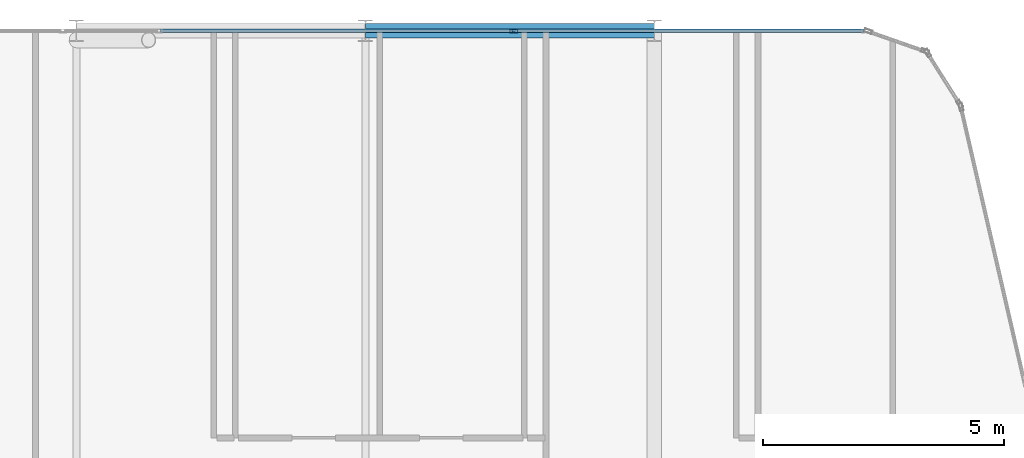
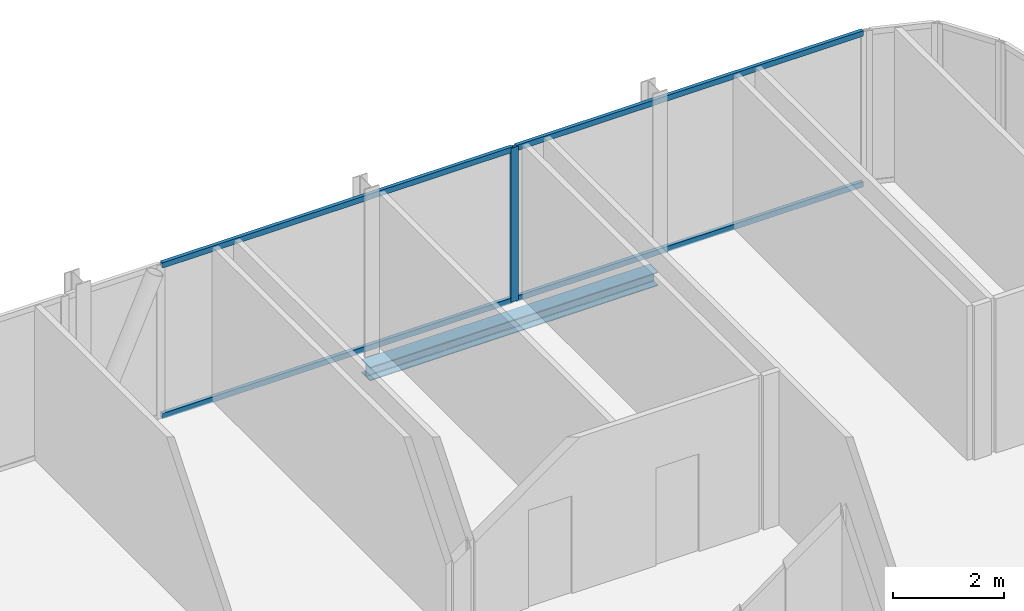
# One storey, part 19 of 29: 5 members, 1 beam, 1 element without a shape of its own.
"""IFC4 building model written with IfcOpenShell, lengths in metres."""

from ifc_helpers import new_model, si_unit, direction, frame, origin, origin_2d, place, context, subcontext, project, spatial, hollow_rectangle, i_section, extrude, material, layer, layer_set, material_profile, profile_set, type_object, element, aggregate, save


model = new_model("IFC4")

# Units and contexts
model_context = context("Model", 3, precision=1e-05, world=origin(), true_north=direction((0.0, 1.0)))
body_context = subcontext(model_context, "Body", "Model", "MODEL_VIEW")
ifc_project = project(units=[si_unit("LENGTHUNIT", "METRE"), si_unit("AREAUNIT", "SQUARE_METRE"), si_unit("VOLUMEUNIT", "CUBIC_METRE"), si_unit("PLANEANGLEUNIT", "RADIAN"), si_unit("MASSUNIT", "GRAM", prefix="KILO")], contexts=[model_context])

# Site, building, storey
site_placement = place(None, origin())
site = spatial("IfcSite", under=ifc_project, at=site_placement, CompositionType="ELEMENT")
building_placement = place(site_placement, origin())
building = spatial("IfcBuilding", under=site, at=building_placement, Name="Keshet Zoharim Tower", CompositionType="ELEMENT")
storey_placement = place(building_placement, frame((0.0, 0.0, 199.5)))
storey = spatial("IfcBuildingStorey", under=building, at=storey_placement, Name="L49", CompositionType="ELEMENT", Elevation=199.5)

# Beam
ifc_material_1 = material(Name="Steel S355", Category="steel")
ifc_material_profile_1 = material_profile(ifc_material_1, i_section(OverallWidth=0.300048828125, OverallDepth=0.300048828125, WebThickness=0.010986328125, FlangeThickness=0.01904296875, FilletRadius=0.027099609375, at=origin_2d()), Name="HEB300")
ifc_profile_set_1 = profile_set([ifc_material_profile_1], Name="Steel S355")
beam_type = type_object("IfcBeamType", Name="BM-PRI-HB300", PredefinedType="BEAM", material=ifc_profile_set_1)
beam_placement = place(storey_placement, frame((27.0, 53.89990234375, -0.4599609375), z_axis=(1.0, 0.0, 0.0), x_axis=(0.0, 1.0, 0.0)))
element("IfcBeam", 1, at=beam_placement, inside=storey, type_object=beam_type, Name="L49 Primary Girder X-020", PredefinedType="BEAM", context=body_context, shape_type="SweptSolid", body=[
    extrude(i_section(OverallWidth=0.300048828125, OverallDepth=0.300048828125, WebThickness=0.010986328125, FlangeThickness=0.01904296875, FilletRadius=0.027099609375, at=origin_2d()), origin(), (0.0, 0.0, 1.0), 6.0),
])

# Curtain wall, members
ifc_material_2 = material(Name="Aluminium 6063-T6", Category="aluminium")
ifc_layer = layer(ifc_material_2, 0.139892578125)
ifc_layer_set = layer_set([ifc_layer], Name="Aluminium 6063-T6")
curtain_wall_type = type_object("IfcCurtainWallType", Name="CW-SYS-05", PredefinedType="NOTDEFINED", material=ifc_layer_set)
curtain_wall_placement = place(storey_placement, origin())
curtain_wall = element("IfcCurtainWall", 2, at=curtain_wall_placement, inside=storey, type_object=curtain_wall_type, Name="L49 Unitised Curtain Wall 16 Part 3", PredefinedType="NOTDEFINED")
ifc_material_profile_2 = material_profile(ifc_material_2, hollow_rectangle(XDim=0.074951171875, YDim=0.159912109375, WallThickness=0.00390625, at=origin_2d()), Name="MUL-75x160")
ifc_profile_set_2 = profile_set([ifc_material_profile_2], Name="Aluminium 6063-T6")
member_type_1 = type_object("IfcMemberType", Name="CWM-M15", PredefinedType="MULLION", material=ifc_profile_set_2)
member_1_placement = place(storey_placement, frame((30.07861328125, 53.89990234375, 0.0), z_axis=(0.0, 0.0, 1.0), x_axis=(0.0, 1.0, 0.0)))
member_1 = element("IfcMember", 3, at=member_1_placement, type_object=member_type_1, Name="CW-05 mullion 2", PredefinedType="MULLION", context=body_context, shape_type="SweptSolid", body=[
    extrude(hollow_rectangle(XDim=0.074951171875, YDim=0.159912109375, WallThickness=0.00390625, at=origin_2d()), origin(), (0.0, 0.0, 1.0), 3.389892578125),
])
ifc_material_profile_3 = material_profile(ifc_material_2, hollow_rectangle(XDim=0.074951171875, YDim=0.1201171875, WallThickness=0.00390625, at=origin_2d()), Name="TRN-75x120")
ifc_profile_set_3 = profile_set([ifc_material_profile_3], Name="Aluminium 6063-T6")
member_type_2 = type_object("IfcMemberType", Name="CWT-T12", PredefinedType="USERDEFINED", material=ifc_profile_set_3)
member_2_placement = place(storey_placement, frame((22.748046875, 53.89990234375, 0.034912109375), z_axis=(1.0, 0.0, 0.0), x_axis=(0.0, 1.0, 0.0)))
member_2 = element("IfcMember", 4, at=member_2_placement, type_object=member_type_2, Name="CW-05 transom 1.1", ObjectType="TRANSOM", PredefinedType="USERDEFINED", context=body_context, shape_type="SweptSolid", body=[
    extrude(hollow_rectangle(XDim=0.074951171875, YDim=0.1201171875, WallThickness=0.00390625, at=origin_2d()), origin(), (0.0, 0.0, 1.0), 7.29541015625),
])
member_3_placement = place(storey_placement, frame((22.748046875, 53.89990234375, 3.35498046875), z_axis=(1.0, 0.0, 0.0), x_axis=(0.0, 1.0, 0.0)))
member_3 = element("IfcMember", 5, at=member_3_placement, type_object=member_type_2, Name="CW-05 transom 1.2", ObjectType="TRANSOM", PredefinedType="USERDEFINED", context=body_context, shape_type="SweptSolid", body=[
    extrude(hollow_rectangle(XDim=0.074951171875, YDim=0.1201171875, WallThickness=0.00390625, at=origin_2d()), origin(), (0.0, 0.0, 1.0), 7.29541015625),
])
member_4_placement = place(storey_placement, frame((30.113525390625, 53.89990234375, 0.034912109375), z_axis=(1.0, 0.0, 0.0), x_axis=(0.0, 1.0, 0.0)))
member_4 = element("IfcMember", 6, at=member_4_placement, type_object=member_type_2, Name="CW-05 transom 2.1", ObjectType="TRANSOM", PredefinedType="USERDEFINED", context=body_context, shape_type="SweptSolid", body=[
    extrude(hollow_rectangle(XDim=0.074951171875, YDim=0.1201171875, WallThickness=0.00390625, at=origin_2d()), origin(), (0.0, 0.0, 1.0), 7.2255859375),
])
member_5_placement = place(storey_placement, frame((30.113525390625, 53.89990234375, 3.35498046875), z_axis=(1.0, 0.0, 0.0), x_axis=(0.0, 1.0, 0.0)))
member_5 = element("IfcMember", 7, at=member_5_placement, type_object=member_type_2, Name="CW-05 transom 2.2", ObjectType="TRANSOM", PredefinedType="USERDEFINED", context=body_context, shape_type="SweptSolid", body=[
    extrude(hollow_rectangle(XDim=0.074951171875, YDim=0.1201171875, WallThickness=0.00390625, at=origin_2d()), origin(), (0.0, 0.0, 1.0), 7.2255859375),
])
aggregate(curtain_wall, [member_1, member_2, member_3, member_4, member_5])

save(model, "model.ifc")
